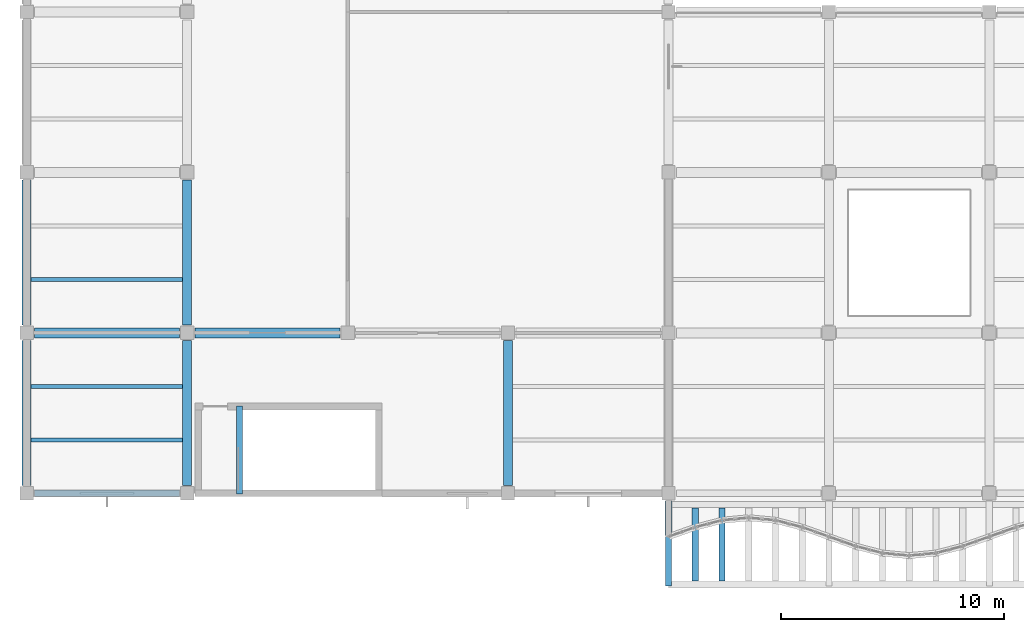
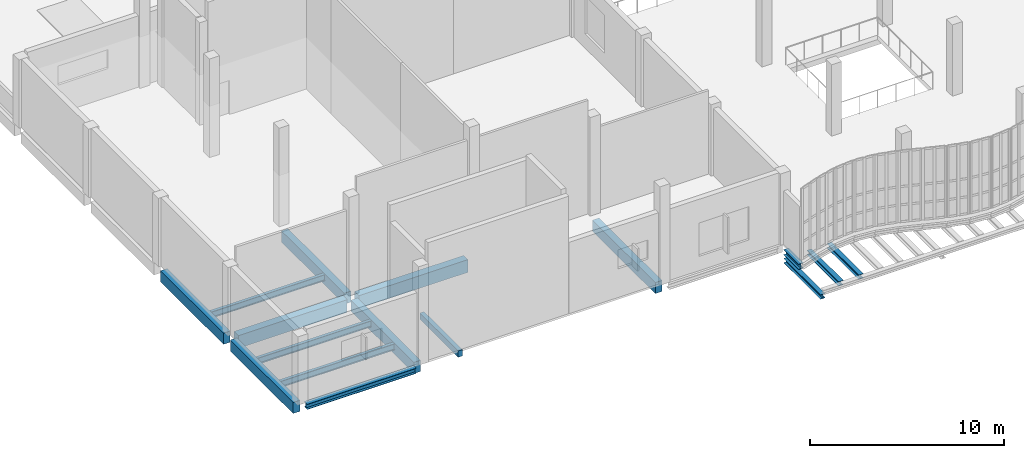
# One storey, part 6 of 105: 16 beams.
"""IFC4 building model written with IfcOpenShell, lengths in metres."""

from ifc_helpers import new_model, si_unit, direction, frame, origin, origin_2d, place, context, subcontext, project, spatial, rectangle, i_section, extrude, material, material_profile, profile_set, type_object, element, save


model = new_model("IFC4")

# Units and contexts
model_context = context("Model", 3, precision=1e-05, world=origin(), true_north=direction((0.0, 1.0)))
body_context = subcontext(model_context, "Body", "Model", "MODEL_VIEW")
ifc_project = project(units=[si_unit("LENGTHUNIT", "METRE"), si_unit("AREAUNIT", "SQUARE_METRE"), si_unit("VOLUMEUNIT", "CUBIC_METRE"), si_unit("PLANEANGLEUNIT", "RADIAN"), si_unit("MASSUNIT", "GRAM", prefix="KILO"), si_unit("THERMODYNAMICTEMPERATUREUNIT", "KELVIN"), si_unit("POWERUNIT", "WATT")], contexts=[model_context])

# Site, building, storey
site_placement = place(None, origin())
site = spatial("IfcSite", under=ifc_project, at=site_placement, CompositionType="ELEMENT")
building_placement = place(site_placement, origin())
building = spatial("IfcBuilding", under=site, at=building_placement, Name="Kaldorven Railside Theatre", CompositionType="ELEMENT")
storey_placement = place(building_placement, frame((0.0, 0.0, 9.89990234375)))
storey = spatial("IfcBuildingStorey", under=building, at=storey_placement, Name="L02", CompositionType="ELEMENT", Elevation=9.89990234375)

# Beams
ifc_material_1 = material(Name="Steel S355", Category="steel")
ifc_material_profile_1 = material_profile(ifc_material_1, i_section(OverallWidth=0.280029296875, OverallDepth=0.280029296875, WebThickness=0.010498046875, FlangeThickness=0.01806640625, at=origin_2d()), Name="HEB 280")
ifc_profile_set_1 = profile_set([ifc_material_profile_1], Name="Steel S355")
beam_type_1 = type_object("IfcBeamType", Name="BM-HEB280", PredefinedType="SPANDREL", material=ifc_profile_set_1)
beam_1_placement = place(storey_placement, frame((36.800048828125, 15.050048828125, -0.97998046875), z_axis=(0.0, 1.0, 0.0), x_axis=(-1.0, 0.0, 0.0)))
element("IfcBeam", 1, at=beam_1_placement, inside=storey, type_object=beam_type_1, Name="L02 Sinusoidal Lower Cantilever Girder FOB-K014", PredefinedType="SPANDREL", context=body_context, shape_type="SweptSolid", body=[
    extrude(i_section(OverallWidth=0.280029296875, OverallDepth=0.280029296875, WebThickness=0.010498046875, FlangeThickness=0.01806640625, at=origin_2d()), origin(), (0.0, 0.0, 1.0), 3.800048828125),
])
for number, where, z_axis, x_axis, name in (
    (2, (38.0, 15.260009765625, -0.699951171875), (0.0, 1.0, 0.0), (-1.0, 0.0, 0.0), "L02 Sinusoidal Diaphragm Rib Outrigger FOB-M074"),
    (3, (39.199951171875, 15.260009765625, -0.699951171875), (0.0, 1.0, 0.0), (-1.0, 0.0, 0.0), "L02 Sinusoidal Diaphragm Rib Outrigger FOB-M075"),
):
    element("IfcBeam", number, at=place(storey_placement, frame(where, z_axis=z_axis, x_axis=x_axis)), inside=storey, type_object=beam_type_1, Name=name, PredefinedType="SPANDREL", context=body_context, shape_type="SweptSolid", body=[
        extrude(i_section(OverallWidth=0.280029296875, OverallDepth=0.280029296875, WebThickness=0.010498046875, FlangeThickness=0.01806640625, at=origin_2d()), origin(), (0.0, 0.0, 1.0), 3.280029296875),
    ])
ifc_material_profile_2 = material_profile(ifc_material_1, i_section(OverallWidth=0.300048828125, OverallDepth=0.340087890625, WebThickness=0.011962890625, FlangeThickness=0.021484375, at=origin_2d()), Name="HEB 340")
ifc_profile_set_2 = profile_set([ifc_material_profile_2], Name="Steel S355")
beam_type_2 = type_object("IfcBeamType", Name="BM-HEB340", PredefinedType="SPANDREL", material=ifc_profile_set_2)
beam_2_placement = place(storey_placement, frame((8.35009765625, 19.199951171875, -0.419921875), z_axis=(1.0, 0.0, 0.0), x_axis=(0.0, 1.0, 0.0)))
element("IfcBeam", 4, at=beam_2_placement, inside=storey, type_object=beam_type_2, Name="L02 Girder BGX-L02-008-019", PredefinedType="SPANDREL", context=body_context, shape_type="SweptSolid", body=[
    extrude(i_section(OverallWidth=0.300048828125, OverallDepth=0.340087890625, WebThickness=0.011962890625, FlangeThickness=0.021484375, at=origin_2d()), origin(), (0.0, 0.0, 1.0), 6.5),
])
beam_3_placement = place(storey_placement, frame((36.800048828125, 17.31005859375, -0.449951171875), z_axis=(0.0, 1.0, 0.0), x_axis=(-1.0, 0.0, 0.0)))
element("IfcBeam", 5, at=beam_3_placement, inside=storey, type_object=beam_type_2, Name="L02 Sinusoidal Veil Outrigger FOB-2036", PredefinedType="SPANDREL", context=body_context, shape_type="SweptSolid", body=[
    extrude(i_section(OverallWidth=0.300048828125, OverallDepth=0.340087890625, WebThickness=0.011962890625, FlangeThickness=0.021484375, at=origin_2d()), origin(), (0.0, 0.0, 1.0), 1.5400390625),
])
ifc_material_profile_3 = material_profile(ifc_material_1, i_section(OverallWidth=0.179931640625, OverallDepth=0.39990234375, WebThickness=0.008544921875, FlangeThickness=0.013427734375, at=origin_2d()), Name="IPE 400")
ifc_profile_set_3 = profile_set([ifc_material_profile_3], Name="Steel S355")
beam_type_3 = type_object("IfcBeamType", Name="BM-IPE400", PredefinedType="JOIST", material=ifc_profile_set_3)
for number, where, z_axis, x_axis, name in (
    (6, (8.199951171875, 21.60009765625, -0.449951171875), (1.0, 0.0, 0.0), (0.0, 1.0, 0.0), "L02 Secondary Floor Joist JG-L02-008-0216"),
    (7, (8.199951171875, 24.0, -0.449951171875), (1.0, 0.0, 0.0), (0.0, 1.0, 0.0), "L02 Secondary Floor Joist JG-L02-008-0240"),
    (8, (8.199951171875, 28.800048828125, -0.449951171875), (1.0, 0.0, 0.0), (0.0, 1.0, 0.0), "L02 Secondary Floor Joist JG-L02-008-0288"),
):
    element("IfcBeam", number, at=place(storey_placement, frame(where, z_axis=z_axis, x_axis=x_axis)), inside=storey, type_object=beam_type_3, Name=name, PredefinedType="JOIST", context=body_context, shape_type="SweptSolid", body=[
        extrude(i_section(OverallWidth=0.179931640625, OverallDepth=0.39990234375, WebThickness=0.008544921875, FlangeThickness=0.013427734375, at=origin_2d()), origin(), (0.0, 0.0, 1.0), 6.800048828125),
    ])
ifc_material_2 = material(Name="Concrete C40/50", Category="concrete")
ifc_material_profile_4 = material_profile(ifc_material_2, rectangle(XDim=0.25, YDim=0.39990234375, at=origin_2d()), Name="RC 250x400")
ifc_profile_set_4 = profile_set([ifc_material_profile_4], Name="Concrete C40/50")
beam_type_4 = type_object("IfcBeamType", Name="BM-RC250x400", PredefinedType="LINTEL", material=ifc_profile_set_4)
beam_4_placement = place(storey_placement, frame((17.550048828125, 19.169921875, -0.344970703125), z_axis=(0.0, 1.0, 0.0), x_axis=(-1.0, 0.0, 0.0)))
element("IfcBeam", 9, at=beam_4_placement, inside=storey, type_object=beam_type_4, Name="Stair ST-01 L02 Landing Trimmer Beam", PredefinedType="LINTEL", context=body_context, shape_type="SweptSolid", body=[
    extrude(rectangle(XDim=0.25, YDim=0.39990234375, at=origin_2d()), origin(), (0.0, 0.0, 1.0), 3.9599609375),
])
ifc_material_profile_5 = material_profile(ifc_material_2, rectangle(XDim=0.39990234375, YDim=0.699951171875, at=origin_2d()), Name="RC 400x700")
ifc_profile_set_5 = profile_set([ifc_material_profile_5], Name="Concrete C40/50")
beam_type_5 = type_object("IfcBeamType", Name="BM-RC400x700", PredefinedType="BEAM", material=ifc_profile_set_5)
for number, where, z_axis, x_axis, name in (
    (10, (8.0, 19.550048828125, -0.599853515625), (0.0, 1.0, 0.0), (-1.0, 0.0, 0.0), "L02 Girder BGY-L02-008-019-72"),
    (11, (15.199951171875, 19.550048828125, -0.599853515625), (0.0, 1.0, 0.0), (-1.0, 0.0, 0.0), "L02 Girder BGY-L02-015-019-72"),
    (12, (29.60009765625, 19.550048828125, -0.599853515625), (0.0, 1.0, 0.0), (-1.0, 0.0, 0.0), "L02 Girder BGY-L02-029-019-72"),
    (13, (8.0, 26.75, -0.599853515625), (0.0, 1.0, 0.0), (-1.0, 0.0, 0.0), "L02 Girder BGY-L02-008-026-72"),
    (14, (15.199951171875, 26.75, -0.599853515625), (0.0, 1.0, 0.0), (-1.0, 0.0, 0.0), "L02 Girder BGY-L02-015-026-72"),
):
    element("IfcBeam", number, at=place(storey_placement, frame(where, z_axis=z_axis, x_axis=x_axis)), inside=storey, type_object=beam_type_5, Name=name, PredefinedType="BEAM", context=body_context, shape_type="SweptSolid", body=[
        extrude(rectangle(XDim=0.39990234375, YDim=0.699951171875, at=origin_2d()), origin(), (0.0, 0.0, 1.0), 6.5),
    ])
ifc_material_profile_6 = material_profile(ifc_material_2, rectangle(XDim=0.449951171875, YDim=0.800048828125, at=origin_2d()), Name="RC 450x800")
ifc_profile_set_6 = profile_set([ifc_material_profile_6], Name="Concrete C40/50")
beam_type_6 = type_object("IfcBeamType", Name="BM-RC450x800", PredefinedType="BEAM", material=ifc_profile_set_6)
for number, where, z_axis, x_axis, name in (
    (15, (8.35009765625, 26.39990234375, -0.64990234375), (1.0, 0.0, 0.0), (0.0, 1.0, 0.0), "L02 Girder BGX-L02-008-026"),
    (16, (15.550048828125, 26.39990234375, -0.64990234375), (1.0, 0.0, 0.0), (0.0, 1.0, 0.0), "L02 Girder BGX-L02-015-026"),
):
    element("IfcBeam", number, at=place(storey_placement, frame(where, z_axis=z_axis, x_axis=x_axis)), inside=storey, type_object=beam_type_6, Name=name, PredefinedType="BEAM", context=body_context, shape_type="SweptSolid", body=[
        extrude(rectangle(XDim=0.449951171875, YDim=0.800048828125, at=origin_2d()), origin(), (0.0, 0.0, 1.0), 6.5),
    ])

save(model, "model.ifc")
